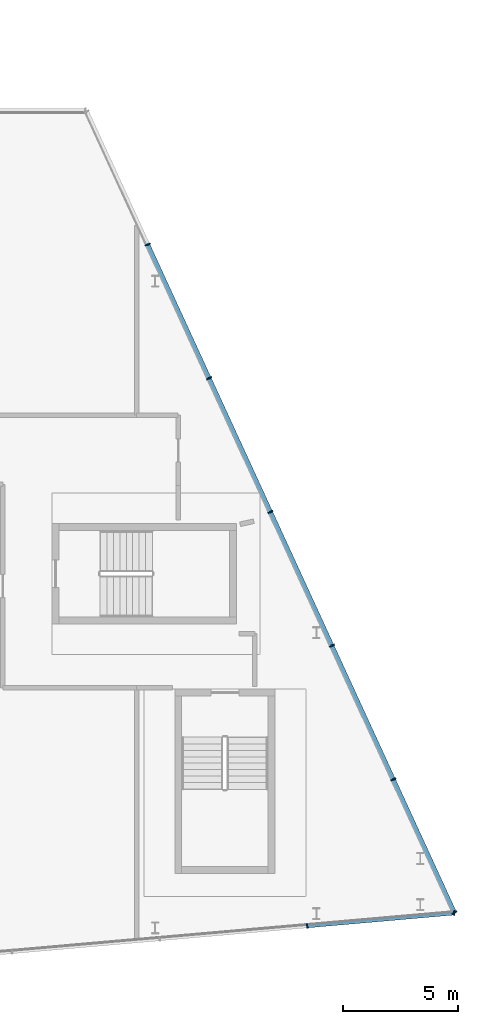
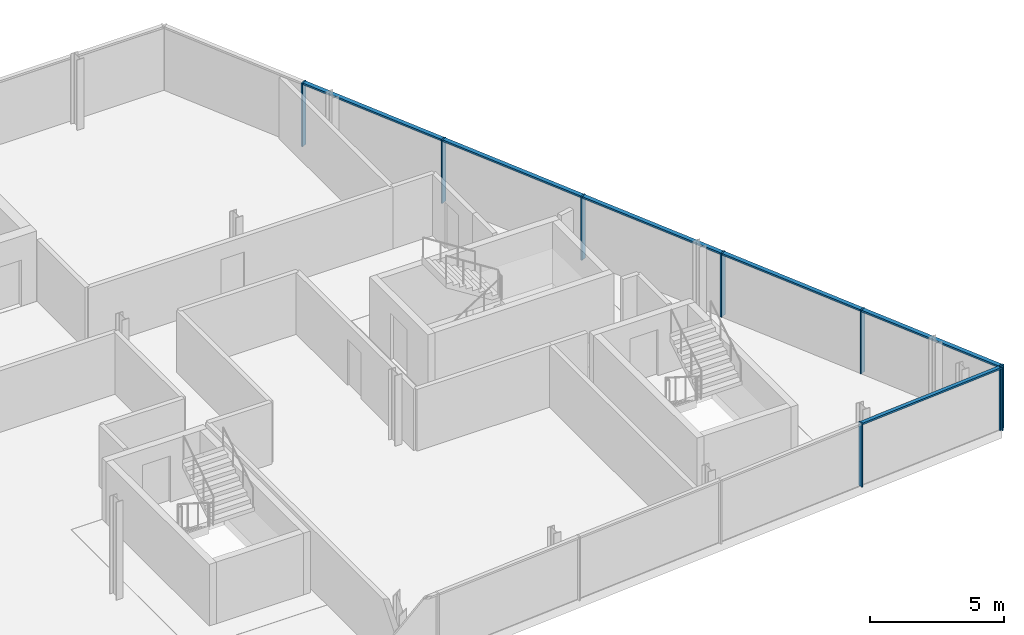
# One storey, part 5 of 10: 14 members, 2 elements without a shape of their own.
"""IFC4 building model written with IfcOpenShell, lengths in metres."""

from ifc_helpers import new_model, si_unit, direction, frame, origin, origin_2d, place, context, subcontext, project, spatial, rectangle, extrude, material, material_profile, profile_set, type_object, element, aggregate, save


model = new_model("IFC4")

# Units and contexts
model_context = context("Model", 3, precision=1e-05, world=origin(), true_north=direction((0.0, 1.0)))
body_context = subcontext(model_context, "Body", "Model", "MODEL_VIEW")
ifc_project = project(units=[si_unit("LENGTHUNIT", "METRE"), si_unit("AREAUNIT", "SQUARE_METRE"), si_unit("VOLUMEUNIT", "CUBIC_METRE"), si_unit("PLANEANGLEUNIT", "RADIAN"), si_unit("MASSUNIT", "GRAM", prefix="KILO")], contexts=[model_context])

# Site, building, storey
site_placement = place(None, origin())
site = spatial("IfcSite", under=ifc_project, at=site_placement, CompositionType="ELEMENT")
building_placement = place(site_placement, origin())
building = spatial("IfcBuilding", under=site, at=building_placement, Name="Wharfspan Tower", CompositionType="ELEMENT")
storey_placement = place(building_placement, frame((0.0, 0.0, 267.5)))
storey = spatial("IfcBuildingStorey", under=building, at=storey_placement, Name="L68", CompositionType="ELEMENT", Elevation=267.5)

# Curtain wall, members
ifc_material = material(Name="Aluminium 6063-T6", Category="aluminium")
curtain_wall_type_1 = type_object("IfcCurtainWallType", Name="CURTAIN WALL FACETED FRONT", PredefinedType="NOTDEFINED", material=ifc_material)
curtain_wall_1_placement = place(storey_placement, origin())
curtain_wall_1 = element("IfcCurtainWall", 1, at=curtain_wall_1_placement, inside=storey, type_object=curtain_wall_type_1, Name="Crown curtain wall S2", PredefinedType="NOTDEFINED")
ifc_material_profile_1 = material_profile(ifc_material, rectangle(XDim=0.199951, YDim=0.060059, at=origin_2d()))
ifc_profile_set_1 = profile_set([ifc_material_profile_1], Name="Aluminium 6063-T6")
member_type_1 = type_object("IfcMemberType", Name="MULLION FACETED FRONT 60x200", PredefinedType="MULLION", material=ifc_profile_set_1)
member_1_placement = place(storey_placement, frame((71.600098, 8.23999, 0.0), z_axis=(0.0, 0.0, 1.0), x_axis=(-0.087156, 0.996198, 0.0)))
member_1 = element("IfcMember", 2, at=member_1_placement, type_object=member_type_1, Name="Crown curtain wall S2 mullion 5", PredefinedType="MULLION", context=body_context, shape_type="SweptSolid", body=[
    extrude(rectangle(XDim=0.199951, YDim=0.060059, at=origin_2d()), origin(), (0.0, 0.0, 1.0), 2.892578),
])
member_2_placement = place(storey_placement, frame((77.970215, 8.797363, 0.0), z_axis=(0.0, 0.0, 1.0), x_axis=(-0.087156, 0.996198, 0.0)))
member_2 = element("IfcMember", 3, at=member_2_placement, type_object=member_type_1, Name="Crown curtain wall S2 mullion 6", PredefinedType="MULLION", context=body_context, shape_type="SweptSolid", body=[
    extrude(rectangle(XDim=0.199951, YDim=0.060059, at=origin_2d()), origin(), (0.0, 0.0, 1.0), 2.892578),
])

curtain_wall_type_2 = type_object("IfcCurtainWallType", Name="CURTAIN WALL PROW AND END", PredefinedType="NOTDEFINED", material=ifc_material)
curtain_wall_2_placement = place(storey_placement, origin())
curtain_wall_2 = element("IfcCurtainWall", 4, at=curtain_wall_2_placement, inside=storey, type_object=curtain_wall_type_2, Name="Crown curtain wall E", PredefinedType="NOTDEFINED")
ifc_material_profile_2 = material_profile(ifc_material, rectangle(XDim=0.23999, YDim=0.060059, at=origin_2d()))
ifc_profile_set_2 = profile_set([ifc_material_profile_2], Name="Aluminium 6063-T6")
member_type_2 = type_object("IfcMemberType", Name="MULLION PROW AND END 60x240", PredefinedType="MULLION", material=ifc_profile_set_2)
member_3_placement = place(storey_placement, frame((77.987549, 8.827148, 0.0), z_axis=(0.0, 0.0, 1.0), x_axis=(-0.908769, -0.417292, 0.0)))
member_3 = element("IfcMember", 5, at=member_3_placement, type_object=member_type_2, Name="Crown curtain wall E mullion 1", PredefinedType="MULLION", context=body_context, shape_type="SweptSolid", body=[
    extrude(rectangle(XDim=0.23999, YDim=0.060059, at=origin_2d()), origin(), (0.0, 0.0, 1.0), 2.892578),
])
member_4_placement = place(storey_placement, frame((75.33667, 14.600098, 0.0), z_axis=(0.0, 0.0, 1.0), x_axis=(-0.908769, -0.417292, 0.0)))
member_4 = element("IfcMember", 6, at=member_4_placement, type_object=member_type_2, Name="Crown curtain wall E mullion 2", PredefinedType="MULLION", context=body_context, shape_type="SweptSolid", body=[
    extrude(rectangle(XDim=0.23999, YDim=0.060059, at=origin_2d()), origin(), (0.0, 0.0, 1.0), 2.892578),
])
member_5_placement = place(storey_placement, frame((72.673584, 20.399902, 0.0), z_axis=(0.0, 0.0, 1.0), x_axis=(-0.908769, -0.417292, 0.0)))
member_5 = element("IfcMember", 7, at=member_5_placement, type_object=member_type_2, Name="Crown curtain wall E mullion 3", PredefinedType="MULLION", context=body_context, shape_type="SweptSolid", body=[
    extrude(rectangle(XDim=0.23999, YDim=0.060059, at=origin_2d()), origin(), (0.0, 0.0, 1.0), 2.892578),
])
member_6_placement = place(storey_placement, frame((70.010254, 26.199951, 0.0), z_axis=(0.0, 0.0, 1.0), x_axis=(-0.908769, -0.417292, 0.0)))
member_6 = element("IfcMember", 8, at=member_6_placement, type_object=member_type_2, Name="Crown curtain wall E mullion 4", PredefinedType="MULLION", context=body_context, shape_type="SweptSolid", body=[
    extrude(rectangle(XDim=0.23999, YDim=0.060059, at=origin_2d()), origin(), (0.0, 0.0, 1.0), 2.892578),
])
member_7_placement = place(storey_placement, frame((67.346924, 32.0, 0.0), z_axis=(0.0, 0.0, 1.0), x_axis=(-0.908769, -0.417292, 0.0)))
member_7 = element("IfcMember", 9, at=member_7_placement, type_object=member_type_2, Name="Crown curtain wall E mullion 5", PredefinedType="MULLION", context=body_context, shape_type="SweptSolid", body=[
    extrude(rectangle(XDim=0.23999, YDim=0.060059, at=origin_2d()), origin(), (0.0, 0.0, 1.0), 2.892578),
])
member_8_placement = place(storey_placement, frame((64.683594, 37.800049, 0.0), z_axis=(0.0, 0.0, 1.0), x_axis=(-0.908769, -0.417292, 0.0)))
member_8 = element("IfcMember", 10, at=member_8_placement, type_object=member_type_2, Name="Crown curtain wall E mullion 6", PredefinedType="MULLION", context=body_context, shape_type="SweptSolid", body=[
    extrude(rectangle(XDim=0.23999, YDim=0.060059, at=origin_2d()), origin(), (0.0, 0.0, 1.0), 2.892578),
])

# Member
ifc_material_profile_3 = material_profile(ifc_material, rectangle(XDim=0.159912, YDim=0.080078, at=origin_2d()))
ifc_profile_set_3 = profile_set([ifc_material_profile_3], Name="Aluminium 6063-T6")
member_type_3 = type_object("IfcMemberType", Name="TRANSOM FACETED FRONT 80x160", PredefinedType="USERDEFINED", material=ifc_profile_set_3)
member_9_placement = place(storey_placement, frame((71.629883, 8.242676, 2.852539), z_axis=(0.996196, 0.087144, 0.0), x_axis=(-0.087144, 0.996196, 0.0)))
member_9 = element("IfcMember", 11, at=member_9_placement, type_object=member_type_3, Name="Crown curtain wall S2 transom 5", ObjectType="TRANSOM", PredefinedType="USERDEFINED", context=body_context, shape_type="SweptSolid", body=[
    extrude(rectangle(XDim=0.159912, YDim=0.080078, at=origin_2d()), origin(), (0.0, 0.0, 1.0), 6.334473),
])

aggregate(curtain_wall_1, [member_1, member_2, member_9])

ifc_material_profile_4 = material_profile(ifc_material, rectangle(XDim=0.179932, YDim=0.080078, at=origin_2d()))
ifc_profile_set_4 = profile_set([ifc_material_profile_4], Name="Aluminium 6063-T6")
member_type_4 = type_object("IfcMemberType", Name="TRANSOM PROW AND END 80x180", PredefinedType="USERDEFINED", material=ifc_profile_set_4)
member_10_placement = place(storey_placement, frame((77.974854, 8.854492, 2.852539), z_axis=(-0.417261, 0.908787, 0.0), x_axis=(-0.908787, -0.417261, 0.0)))
member_10 = element("IfcMember", 12, at=member_10_placement, type_object=member_type_4, Name="Crown curtain wall E transom 1", ObjectType="TRANSOM", PredefinedType="USERDEFINED", context=body_context, shape_type="SweptSolid", body=[
    extrude(rectangle(XDim=0.179932, YDim=0.080078, at=origin_2d()), origin(), (0.0, 0.0, 1.0), 6.292236),
])

member_11_placement = place(storey_placement, frame((75.324219, 14.627197, 2.852539), z_axis=(-0.41728, 0.908778, 0.0), x_axis=(-0.908778, -0.41728, 0.0)))
member_11 = element("IfcMember", 13, at=member_11_placement, type_object=member_type_4, Name="Crown curtain wall E transom 2", ObjectType="TRANSOM", PredefinedType="USERDEFINED", context=body_context, shape_type="SweptSolid", body=[
    extrude(rectangle(XDim=0.179932, YDim=0.080078, at=origin_2d()), origin(), (0.0, 0.0, 1.0), 6.322266),
])

member_12_placement = place(storey_placement, frame((72.660889, 20.427246, 2.852539), z_axis=(-0.41728, 0.908778, 0.0), x_axis=(-0.908778, -0.41728, 0.0)))
member_12 = element("IfcMember", 14, at=member_12_placement, type_object=member_type_4, Name="Crown curtain wall E transom 3", ObjectType="TRANSOM", PredefinedType="USERDEFINED", context=body_context, shape_type="SweptSolid", body=[
    extrude(rectangle(XDim=0.179932, YDim=0.080078, at=origin_2d()), origin(), (0.0, 0.0, 1.0), 6.322266),
])

member_13_placement = place(storey_placement, frame((69.997803, 26.227295, 2.852539), z_axis=(-0.417326, 0.908757, 0.0), x_axis=(-0.908757, -0.417326, 0.0)))
member_13 = element("IfcMember", 15, at=member_13_placement, type_object=member_type_4, Name="Crown curtain wall E transom 4", ObjectType="TRANSOM", PredefinedType="USERDEFINED", context=body_context, shape_type="SweptSolid", body=[
    extrude(rectangle(XDim=0.179932, YDim=0.080078, at=origin_2d()), origin(), (0.0, 0.0, 1.0), 6.322266),
])

member_14_placement = place(storey_placement, frame((67.334473, 32.027344, 2.852539), z_axis=(-0.417294, 0.908771, 0.0), x_axis=(-0.908771, -0.417294, 0.0)))
member_14 = element("IfcMember", 16, at=member_14_placement, type_object=member_type_4, Name="Crown curtain wall E transom 5", ObjectType="TRANSOM", PredefinedType="USERDEFINED", context=body_context, shape_type="SweptSolid", body=[
    extrude(rectangle(XDim=0.179932, YDim=0.080078, at=origin_2d()), origin(), (0.0, 0.0, 1.0), 6.322021),
])

aggregate(curtain_wall_2, [member_3, member_4, member_5, member_6, member_7, member_8, member_10, member_11, member_12, member_13, member_14])

save(model, "model.ifc")
